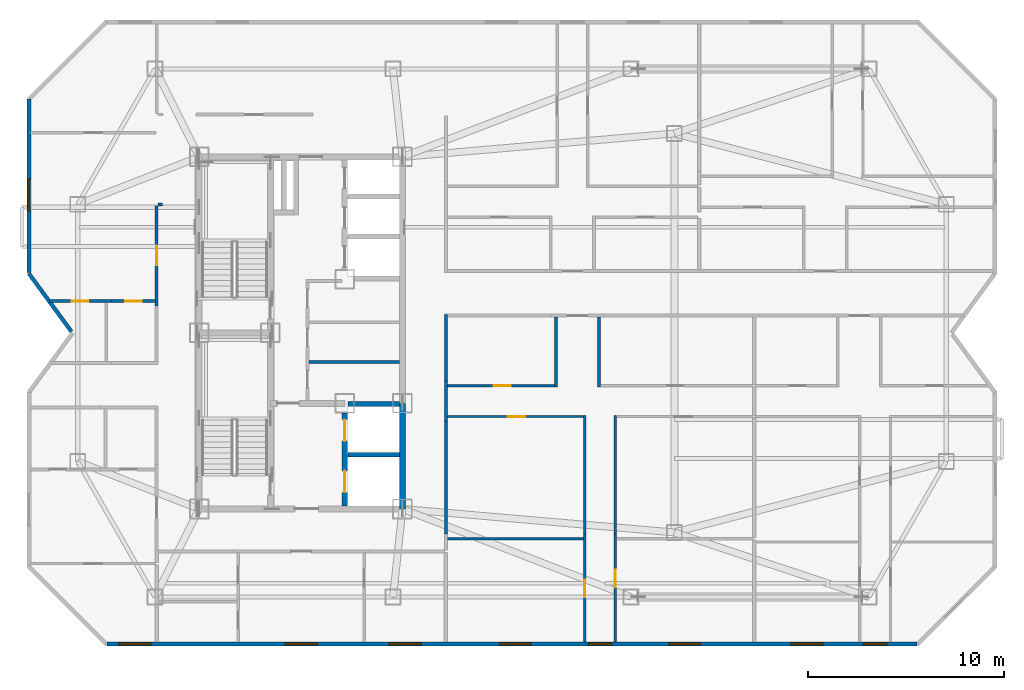
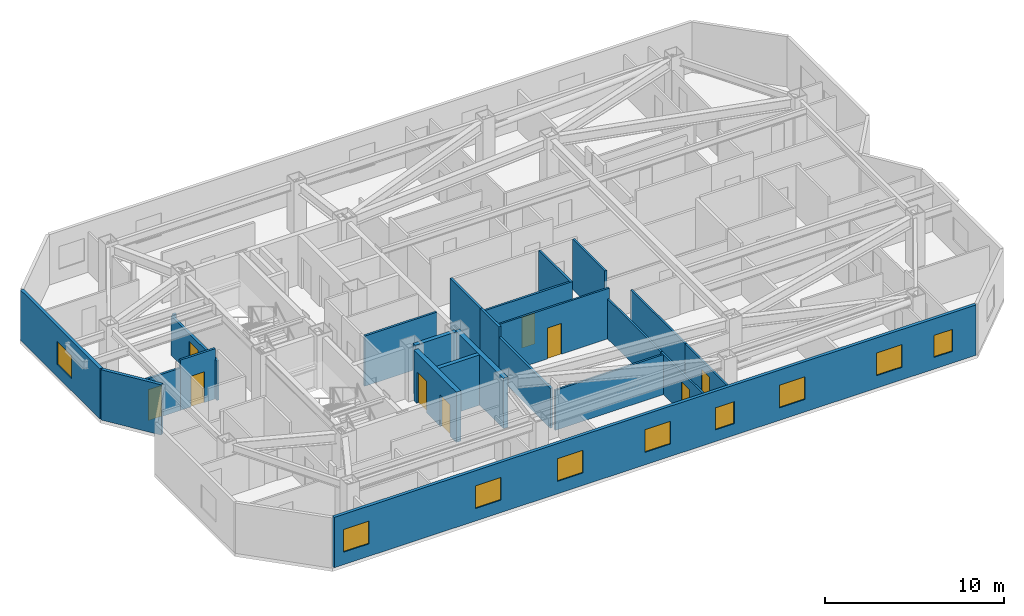
# One storey, part 5 of 9: 24 walls, 9 doors, 9 windows, 18 openings.
"""IFC4 building model written with IfcOpenShell, lengths in metres."""

from ifc_helpers import new_model, si_unit, direction, frame, frame_2d, origin, place, context, subcontext, project, spatial, rectangle, extrude, material, layer, layer_set, type_object, element, fill, save


model = new_model("IFC4")

# Units and contexts
model_context = context("Model", 3, precision=1e-05, world=origin(), true_north=direction((0.0, 1.0)))
body_context = subcontext(model_context, "Body", "Model", "MODEL_VIEW")
ifc_project = project(units=[si_unit("LENGTHUNIT", "METRE"), si_unit("AREAUNIT", "SQUARE_METRE"), si_unit("VOLUMEUNIT", "CUBIC_METRE"), si_unit("PLANEANGLEUNIT", "RADIAN"), si_unit("MASSUNIT", "GRAM", prefix="KILO")], contexts=[model_context])

# Site, building, storey
site_placement = place(None, origin())
site = spatial("IfcSite", under=ifc_project, at=site_placement, CompositionType="ELEMENT")
building_placement = place(site_placement, origin())
building = spatial("IfcBuilding", under=site, at=building_placement, Name="Khamvora Tower", CompositionType="ELEMENT")
storey_placement = place(building_placement, frame((0.0, 0.0, 235.449951171875)))
storey = spatial("IfcBuildingStorey", under=building, at=storey_placement, Name="L60", CompositionType="ELEMENT", Elevation=235.449951171875)

# Wall
ifc_material_1 = material(Name="Concrete C50/60", Category="concrete")
ifc_layer_1 = layer(ifc_material_1, 0.300048828125)
ifc_layer_set_1 = layer_set([ifc_layer_1], Name="Concrete C50/60")
wall_type_1 = type_object("IfcWallType", Name="WAL-CORE-300", PredefinedType="SHEAR", material=ifc_layer_set_1)
wall_1_placement = place(storey_placement, frame((39.39990234375, 19.0, 0.0), z_axis=(0.0, 0.0, 1.0), x_axis=(0.0, 1.0, 0.0)))
element("IfcWall", 1, at=wall_1_placement, inside=storey, type_object=wall_type_1, Name="L60 central core east south wall", PredefinedType="SHEAR", context=body_context, shape_type="SweptSolid", body=[
    extrude(rectangle(XDim=5.39990234375, YDim=0.300048828125, at=frame_2d((2.699951171875, 0.0))), origin(), (0.0, 0.0, 1.0), 3.429931640625),
])

# Wall, openings, doors
wall_2_placement = place(storey_placement, frame((36.449951171875, 19.154052734375, 0.0), z_axis=(0.0, 0.0, 1.0), x_axis=(0.0, 1.0, 0.0)))
wall_2 = element("IfcWall", 2, at=wall_2_placement, inside=storey, type_object=wall_type_1, Name="L60 central core lift bank south wall", PredefinedType="SHEAR", context=body_context, shape_type="SweptSolid", body=[
    extrude(rectangle(XDim=4.745849609375, YDim=0.300048828125, at=frame_2d((2.373046875, 0.0))), origin(), (0.0, 0.0, 1.0), 3.429931640625),
])
opening_1_placement = place(wall_2_placement, frame((0.696044921875, 0.0, 0.0)))
opening_1 = element("IfcOpeningElement", 3, at=opening_1_placement, cuts=wall_2, Name="Opening LD-FFL", PredefinedType="OPENING", context=body_context, shape_type="SweptSolid", body=[
    extrude(rectangle(XDim=1.10009765625, YDim=2.14990234375, at=frame_2d((0.550048828125, 1.074951171875))), frame((0.0, 0.159912109375, 0.0), z_axis=(0.0, -1.0, 0.0), x_axis=(1.0, 0.0, 0.0)), (0.0, 0.0, 1.0), 0.320068359375),
])
opening_2_placement = place(wall_2_placement, frame((3.31591796875, 0.0, 0.0)))
opening_2 = element("IfcOpeningElement", 4, at=opening_2_placement, cuts=wall_2, Name="Opening LD-FFL", PredefinedType="OPENING", context=body_context, shape_type="SweptSolid", body=[
    extrude(rectangle(XDim=1.10009765625, YDim=2.14990234375, at=frame_2d((0.550048828125, 1.074951171875))), frame((0.0, 0.159912109375, 0.0), z_axis=(0.0, -1.0, 0.0), x_axis=(1.0, 0.0, 0.0)), (0.0, 0.0, 1.0), 0.320068359375),
])
ifc_material_2 = material(Name="Powder-Coated Steel and Hardwood Leaf", Category="steel")
door_type_1 = type_object("IfcDoorType", Name="DOR-LIFT-1100", OperationType="SLIDING_TO_LEFT", PredefinedType="DOOR", material=ifc_material_2)
door_1_placement = place(opening_1_placement, origin())
door_1 = element("IfcDoor", 5, at=door_1_placement, inside=storey, type_object=door_type_1, Name="L60 lift landing sliding door FFL-01", OperationType="SLIDING_TO_LEFT", OverallHeight=2.14990234375, OverallWidth=1.10009765625, PredefinedType="DOOR", context=body_context, shape_type="SweptSolid", body=[
    extrude(rectangle(XDim=1.10009765625, YDim=2.14990234375, at=frame_2d((0.550048828125, 1.074951171875))), frame((0.0, 0.02490234375, 0.0), z_axis=(0.0, -1.0, 0.0), x_axis=(1.0, 0.0, 0.0)), (0.0, 0.0, 1.0), 0.050048828125),
])
fill(opening_1, door_1)
door_2_placement = place(opening_2_placement, origin())
door_2 = element("IfcDoor", 6, at=door_2_placement, inside=storey, type_object=door_type_1, Name="L60 lift landing sliding door FFL-02", OperationType="SLIDING_TO_LEFT", OverallHeight=2.14990234375, OverallWidth=1.10009765625, PredefinedType="DOOR", context=body_context, shape_type="SweptSolid", body=[
    extrude(rectangle(XDim=1.10009765625, YDim=2.14990234375, at=frame_2d((0.550048828125, 1.074951171875))), frame((0.0, 0.02490234375, 0.0), z_axis=(0.0, -1.0, 0.0), x_axis=(1.0, 0.0, 0.0)), (0.0, 0.0, 1.0), 0.050048828125),
])
fill(opening_2, door_2)

# Wall, opening, door
ifc_material_3 = material(Name="Fire-Rated Drywall and Steel Stud", Category="steel")
ifc_layer_2 = layer(ifc_material_3, 0.14990234375)
ifc_layer_set_2 = layer_set([ifc_layer_2], Name="Fire-Rated Drywall and Steel Stud")
wall_type_2 = type_object("IfcWallType", Name="WAL-CORR-150", PredefinedType="STANDARD", material=ifc_layer_set_2)
wall_3_placement = place(storey_placement, frame((26.8349609375, 29.381103515625, 0.0), z_axis=(0.0, 0.0, 1.0), x_axis=(0.0, 1.0, 0.0)))
wall_3 = element("IfcWall", 7, at=wall_3_placement, inside=storey, type_object=wall_type_2, Name="L60 interior partition wall 012", PredefinedType="STANDARD", context=body_context, shape_type="SweptSolid", body=[
    extrude(rectangle(XDim=5.118896484375, YDim=0.14990234375, at=frame_2d((2.5595703125, 0.0))), origin(), (0.0, 0.0, 1.0), 2.68701171875),
])
opening_3_placement = place(wall_3_placement, frame((2.080078125, 0.0, 0.0)))
opening_3 = element("IfcOpeningElement", 8, at=opening_3_placement, cuts=wall_3, Name="Opening D-U1", PredefinedType="OPENING", context=body_context, shape_type="SweptSolid", body=[
    extrude(rectangle(XDim=1.0, YDim=2.14990234375, at=frame_2d((0.5, 1.074951171875))), frame((0.0, 0.0849609375, 0.0), z_axis=(0.0, -1.0, 0.0), x_axis=(1.0, 0.0, 0.0)), (0.0, 0.0, 1.0), 0.169921875),
])
door_type_2 = type_object("IfcDoorType", Name="DOR-UNIT-1000", OperationType="NOTDEFINED", PredefinedType="DOOR", material=ifc_material_2)
door_3_placement = place(opening_3_placement, origin())
door_3 = element("IfcDoor", 9, at=door_3_placement, inside=storey, type_object=door_type_2, Name="L60 interior door COR-60WBH", OperationType="SINGLE_SWING_LEFT", OverallHeight=2.14990234375, OverallWidth=1.0, PredefinedType="DOOR", context=body_context, shape_type="SweptSolid", body=[
    extrude(rectangle(XDim=1.0, YDim=2.14990234375, at=frame_2d((0.5, 1.074951171875))), frame((0.0, 0.02490234375, 0.0), z_axis=(0.0, -1.0, 0.0), x_axis=(1.0, 0.0, 0.0)), (0.0, 0.0, 1.0), 0.050048828125),
])
fill(opening_3, door_3)

# Walls
wall_4_placement = place(storey_placement, frame((26.89990234375, 34.56494140625, 0.0), z_axis=(0.0, 0.0, 1.0), x_axis=(1.0, 0.0, 0.0)))
element("IfcWall", 10, at=wall_4_placement, inside=storey, type_object=wall_type_2, Name="L60 interior partition wall 013", PredefinedType="STANDARD", context=body_context, shape_type="SweptSolid", body=[
    extrude(rectangle(XDim=0.22412109375, YDim=0.14990234375, at=frame_2d((0.112060546875, 0.0))), origin(), (0.0, 0.0, 1.0), 2.68701171875),
])
wall_5_placement = place(storey_placement, frame((41.614990234375, 25.553955078125, 0.0), z_axis=(0.0, 0.0, 1.0), x_axis=(0.0, -1.0, 0.0)))
element("IfcWall", 11, at=wall_5_placement, inside=storey, type_object=wall_type_2, Name="L60 interior partition wall 021", PredefinedType="STANDARD", context=body_context, shape_type="SweptSolid", body=[
    extrude(rectangle(XDim=2.077880859375, YDim=0.14990234375, at=frame_2d((1.0390625, 0.0))), origin(), (0.0, 0.0, 1.0), 3.429931640625),
])
wall_6_placement = place(storey_placement, frame((41.614990234375, 28.947998046875, 0.0), z_axis=(0.0, 0.0, 1.0), x_axis=(0.0, -1.0, 0.0)))
element("IfcWall", 12, at=wall_6_placement, inside=storey, type_object=wall_type_2, Name="L60 interior partition wall 023", PredefinedType="STANDARD", context=body_context, shape_type="SweptSolid", body=[
    extrude(rectangle(XDim=3.39404296875, YDim=0.14990234375, at=frame_2d((1.697021484375, 0.0))), origin(), (0.0, 0.0, 1.0), 3.429931640625),
])
wall_7_placement = place(storey_placement, frame((41.614990234375, 23.47607421875, 0.0), z_axis=(0.0, 0.0, 1.0), x_axis=(0.0, -1.0, 0.0)))
element("IfcWall", 13, at=wall_7_placement, inside=storey, type_object=wall_type_2, Name="L60 interior partition wall 026", PredefinedType="STANDARD", context=body_context, shape_type="SweptSolid", body=[
    extrude(rectangle(XDim=5.751953125, YDim=0.14990234375, at=frame_2d((2.8759765625, 0.0))), origin(), (0.0, 0.0, 1.0), 2.72509765625),
])
ifc_material_4 = material(Name="Precast concrete C40/50", Category="concrete")
ifc_layer_3 = layer(ifc_material_4, 0.199951171875)
ifc_layer_set_3 = layer_set([ifc_layer_3], Name="Precast concrete C40/50")
wall_type_3 = type_object("IfcWallType", Name="WAL-EXT-200", PredefinedType="STANDARD", material=ifc_layer_set_3)
wall_8_placement = place(storey_placement, frame((22.472900390625, 28.069091796875, 0.0), z_axis=(0.0, 0.0, 1.0), x_axis=(-0.591248456881, 0.80648946815, 0.0)))
element("IfcWall", 14, at=wall_8_placement, inside=storey, type_object=wall_type_3, Name="L60 exterior facade wall 04.1", PredefinedType="STANDARD", context=body_context, shape_type="SweptSolid", body=[
    extrude(rectangle(XDim=3.675048828125, YDim=0.199951171875, at=frame_2d((1.83740234375, 0.0))), origin(), (0.0, 0.0, 1.0), 3.429931640625),
])

# Wall, opening, window
wall_9_placement = place(storey_placement, frame((20.300048828125, 31.083984375, 0.0), z_axis=(0.0, 0.0, 1.0), x_axis=(0.0, 1.0, 0.0)))
wall_9 = element("IfcWall", 15, at=wall_9_placement, inside=storey, type_object=wall_type_3, Name="L60 exterior facade wall 05.1", PredefinedType="STANDARD", context=body_context, shape_type="SweptSolid", body=[
    extrude(rectangle(XDim=8.875, YDim=0.199951171875, at=frame_2d((4.4375, 0.0))), origin(), (0.0, 0.0, 1.0), 3.429931640625),
])
opening_4_placement = place(wall_9_placement, frame((3.139892578125, 0.0, 0.85009765625)))
opening_4 = element("IfcOpeningElement", 16, at=opening_4_placement, cuts=wall_9, Name="Opening WN-06", PredefinedType="OPENING", context=body_context, shape_type="SweptSolid", body=[
    extrude(rectangle(XDim=1.64990234375, YDim=1.550048828125, at=frame_2d((0.824951171875, 0.77490234375))), frame((0.0, 0.10986328125, 0.0), z_axis=(0.0, -1.0, 0.0), x_axis=(1.0, 0.0, 0.0)), (0.0, 0.0, 1.0), 0.219970703125),
])
ifc_material_5 = material(Name="Low-E Laminated Double Glazing", Category="glass")
window_type_1 = type_object("IfcWindowType", Name="WIN-VIS-1650x1550", PartitioningType="SINGLE_PANEL", PredefinedType="WINDOW", material=ifc_material_5)
window_1_placement = place(opening_4_placement, origin())
window_1 = element("IfcWindow", 17, at=window_1_placement, inside=storey, type_object=window_type_1, Name="L60 vision window 05.1.01", OverallHeight=1.550048828125, OverallWidth=1.64990234375, PartitioningType="SINGLE_PANEL", PredefinedType="WINDOW", context=body_context, shape_type="SweptSolid", body=[
    extrude(rectangle(XDim=1.64990234375, YDim=1.550048828125, at=frame_2d((0.824951171875, 0.77490234375))), frame((0.0, 0.030029296875, 0.0), z_axis=(0.0, -1.0, 0.0), x_axis=(1.0, 0.0, 0.0)), (0.0, 0.0, 1.0), 0.06005859375),
])
fill(opening_4, window_1)

# Wall, openings, windows
wall_10_placement = place(storey_placement, frame((65.696044921875, 12.10009765625, 0.0), z_axis=(0.0, 0.0, 1.0), x_axis=(-1.0, 0.0, 0.0)))
wall_10 = element("IfcWall", 18, at=wall_10_placement, inside=storey, type_object=wall_type_3, Name="L60 exterior facade wall 14.1", PredefinedType="STANDARD", context=body_context, shape_type="SweptSolid", body=[
    extrude(rectangle(XDim=41.39306640625, YDim=0.199951171875, at=frame_2d((20.696533203125, 0.0))), origin(), (0.0, 0.0, 1.0), 3.429931640625),
])
opening_5_placement = place(wall_10_placement, frame((39.159912109375, 0.0, 0.85009765625)))
opening_5 = element("IfcOpeningElement", 19, at=opening_5_placement, cuts=wall_10, Name="Opening WN-06", PredefinedType="OPENING", context=body_context, shape_type="SweptSolid", body=[
    extrude(rectangle(XDim=1.64990234375, YDim=1.550048828125, at=frame_2d((0.824951171875, 0.77490234375))), frame((0.0, 0.10986328125, 0.0), z_axis=(0.0, -1.0, 0.0), x_axis=(1.0, 0.0, 0.0)), (0.0, 0.0, 1.0), 0.219970703125),
])
opening_6_placement = place(wall_10_placement, frame((30.64599609375, 0.0, 0.85009765625)))
opening_6 = element("IfcOpeningElement", 20, at=opening_6_placement, cuts=wall_10, Name="Opening WN-06", PredefinedType="OPENING", context=body_context, shape_type="SweptSolid", body=[
    extrude(rectangle(XDim=1.64990234375, YDim=1.550048828125, at=frame_2d((0.824951171875, 0.77490234375))), frame((0.0, 0.10986328125, 0.0), z_axis=(0.0, -1.0, 0.0), x_axis=(1.0, 0.0, 0.0)), (0.0, 0.0, 1.0), 0.219970703125),
])
opening_7_placement = place(wall_10_placement, frame((25.339111328125, 0.0, 0.85009765625)))
opening_7 = element("IfcOpeningElement", 21, at=opening_7_placement, cuts=wall_10, Name="Opening WN-06", PredefinedType="OPENING", context=body_context, shape_type="SweptSolid", body=[
    extrude(rectangle(XDim=1.64990234375, YDim=1.550048828125, at=frame_2d((0.824951171875, 0.77490234375))), frame((0.0, 0.10986328125, 0.0), z_axis=(0.0, -1.0, 0.0), x_axis=(1.0, 0.0, 0.0)), (0.0, 0.0, 1.0), 0.219970703125),
])
opening_8_placement = place(wall_10_placement, frame((15.595947265625, 0.0, 0.800048828125)))
opening_8 = element("IfcOpeningElement", 22, at=opening_8_placement, cuts=wall_10, Name="Opening WN-03", PredefinedType="OPENING", context=body_context, shape_type="SweptSolid", body=[
    extrude(rectangle(XDim=1.199951171875, YDim=1.5, at=frame_2d((0.60009765625, 0.75))), frame((0.0, 0.10986328125, 0.0), z_axis=(0.0, -1.0, 0.0), x_axis=(1.0, 0.0, 0.0)), (0.0, 0.0, 1.0), 0.219970703125),
])
opening_9_placement = place(wall_10_placement, frame((19.7060546875, 0.0, 0.85009765625)))
opening_9 = element("IfcOpeningElement", 23, at=opening_9_placement, cuts=wall_10, Name="Opening WN-06", PredefinedType="OPENING", context=body_context, shape_type="SweptSolid", body=[
    extrude(rectangle(XDim=1.64990234375, YDim=1.550048828125, at=frame_2d((0.824951171875, 0.77490234375))), frame((0.0, 0.10986328125, 0.0), z_axis=(0.0, -1.0, 0.0), x_axis=(1.0, 0.0, 0.0)), (0.0, 0.0, 1.0), 0.219970703125),
])
opening_10_placement = place(wall_10_placement, frame((11.035888671875, 0.0, 0.85009765625)))
opening_10 = element("IfcOpeningElement", 24, at=opening_10_placement, cuts=wall_10, Name="Opening WN-06", PredefinedType="OPENING", context=body_context, shape_type="SweptSolid", body=[
    extrude(rectangle(XDim=1.64990234375, YDim=1.550048828125, at=frame_2d((0.824951171875, 0.77490234375))), frame((0.0, 0.10986328125, 0.0), z_axis=(0.0, -1.0, 0.0), x_axis=(1.0, 0.0, 0.0)), (0.0, 0.0, 1.0), 0.219970703125),
])
opening_11_placement = place(wall_10_placement, frame((1.52587890625, 0.0, 0.800048828125)))
opening_11 = element("IfcOpeningElement", 25, at=opening_11_placement, cuts=wall_10, Name="Opening WN-03", PredefinedType="OPENING", context=body_context, shape_type="SweptSolid", body=[
    extrude(rectangle(XDim=1.199951171875, YDim=1.5, at=frame_2d((0.60009765625, 0.75))), frame((0.0, 0.10986328125, 0.0), z_axis=(0.0, -1.0, 0.0), x_axis=(1.0, 0.0, 0.0)), (0.0, 0.0, 1.0), 0.219970703125),
])
opening_12_placement = place(wall_10_placement, frame((4.785888671875, 0.0, 0.85009765625)))
opening_12 = element("IfcOpeningElement", 26, at=opening_12_placement, cuts=wall_10, Name="Opening WN-06", PredefinedType="OPENING", context=body_context, shape_type="SweptSolid", body=[
    extrude(rectangle(XDim=1.64990234375, YDim=1.550048828125, at=frame_2d((0.824951171875, 0.77490234375))), frame((0.0, 0.10986328125, 0.0), z_axis=(0.0, -1.0, 0.0), x_axis=(1.0, 0.0, 0.0)), (0.0, 0.0, 1.0), 0.219970703125),
])
window_type_2 = type_object("IfcWindowType", Name="WIN-VIS-1200x1500", PartitioningType="SINGLE_PANEL", PredefinedType="WINDOW", material=ifc_material_5)
window_2_placement = place(opening_8_placement, origin())
window_2 = element("IfcWindow", 27, at=window_2_placement, inside=storey, type_object=window_type_2, Name="L60 vision window 14.1.04", OverallHeight=1.5, OverallWidth=1.199951171875, PartitioningType="SINGLE_PANEL", PredefinedType="WINDOW", context=body_context, shape_type="SweptSolid", body=[
    extrude(rectangle(XDim=1.199951171875, YDim=1.5, at=frame_2d((0.60009765625, 0.75))), frame((0.0, 0.030029296875, 0.0), z_axis=(0.0, -1.0, 0.0), x_axis=(1.0, 0.0, 0.0)), (0.0, 0.0, 1.0), 0.06005859375),
])
fill(opening_8, window_2)
window_3_placement = place(opening_11_placement, origin())
window_3 = element("IfcWindow", 28, at=window_3_placement, inside=storey, type_object=window_type_2, Name="L60 vision window 14.1.07", OverallHeight=1.5, OverallWidth=1.199951171875, PartitioningType="SINGLE_PANEL", PredefinedType="WINDOW", context=body_context, shape_type="SweptSolid", body=[
    extrude(rectangle(XDim=1.199951171875, YDim=1.5, at=frame_2d((0.60009765625, 0.75))), frame((0.0, 0.030029296875, 0.0), z_axis=(0.0, -1.0, 0.0), x_axis=(1.0, 0.0, 0.0)), (0.0, 0.0, 1.0), 0.06005859375),
])
fill(opening_11, window_3)
window_4_placement = place(opening_5_placement, origin())
window_4 = element("IfcWindow", 29, at=window_4_placement, inside=storey, type_object=window_type_1, Name="L60 vision window 14.1.01", OverallHeight=1.550048828125, OverallWidth=1.64990234375, PartitioningType="SINGLE_PANEL", PredefinedType="WINDOW", context=body_context, shape_type="SweptSolid", body=[
    extrude(rectangle(XDim=1.64990234375, YDim=1.550048828125, at=frame_2d((0.824951171875, 0.77490234375))), frame((0.0, 0.030029296875, 0.0), z_axis=(0.0, -1.0, 0.0), x_axis=(1.0, 0.0, 0.0)), (0.0, 0.0, 1.0), 0.06005859375),
])
fill(opening_5, window_4)
window_5_placement = place(opening_6_placement, origin())
window_5 = element("IfcWindow", 30, at=window_5_placement, inside=storey, type_object=window_type_1, Name="L60 vision window 14.1.02", OverallHeight=1.550048828125, OverallWidth=1.64990234375, PartitioningType="SINGLE_PANEL", PredefinedType="WINDOW", context=body_context, shape_type="SweptSolid", body=[
    extrude(rectangle(XDim=1.64990234375, YDim=1.550048828125, at=frame_2d((0.824951171875, 0.77490234375))), frame((0.0, 0.030029296875, 0.0), z_axis=(0.0, -1.0, 0.0), x_axis=(1.0, 0.0, 0.0)), (0.0, 0.0, 1.0), 0.06005859375),
])
fill(opening_6, window_5)
window_6_placement = place(opening_7_placement, origin())
window_6 = element("IfcWindow", 31, at=window_6_placement, inside=storey, type_object=window_type_1, Name="L60 vision window 14.1.03", OverallHeight=1.550048828125, OverallWidth=1.64990234375, PartitioningType="SINGLE_PANEL", PredefinedType="WINDOW", context=body_context, shape_type="SweptSolid", body=[
    extrude(rectangle(XDim=1.64990234375, YDim=1.550048828125, at=frame_2d((0.824951171875, 0.77490234375))), frame((0.0, 0.030029296875, 0.0), z_axis=(0.0, -1.0, 0.0), x_axis=(1.0, 0.0, 0.0)), (0.0, 0.0, 1.0), 0.06005859375),
])
fill(opening_7, window_6)
window_7_placement = place(opening_9_placement, origin())
window_7 = element("IfcWindow", 32, at=window_7_placement, inside=storey, type_object=window_type_1, Name="L60 vision window 14.1.05", OverallHeight=1.550048828125, OverallWidth=1.64990234375, PartitioningType="SINGLE_PANEL", PredefinedType="WINDOW", context=body_context, shape_type="SweptSolid", body=[
    extrude(rectangle(XDim=1.64990234375, YDim=1.550048828125, at=frame_2d((0.824951171875, 0.77490234375))), frame((0.0, 0.030029296875, 0.0), z_axis=(0.0, -1.0, 0.0), x_axis=(1.0, 0.0, 0.0)), (0.0, 0.0, 1.0), 0.06005859375),
])
fill(opening_9, window_7)
window_8_placement = place(opening_10_placement, origin())
window_8 = element("IfcWindow", 33, at=window_8_placement, inside=storey, type_object=window_type_1, Name="L60 vision window 14.1.06", OverallHeight=1.550048828125, OverallWidth=1.64990234375, PartitioningType="SINGLE_PANEL", PredefinedType="WINDOW", context=body_context, shape_type="SweptSolid", body=[
    extrude(rectangle(XDim=1.64990234375, YDim=1.550048828125, at=frame_2d((0.824951171875, 0.77490234375))), frame((0.0, 0.030029296875, 0.0), z_axis=(0.0, -1.0, 0.0), x_axis=(1.0, 0.0, 0.0)), (0.0, 0.0, 1.0), 0.06005859375),
])
fill(opening_10, window_8)
window_9_placement = place(opening_12_placement, origin())
window_9 = element("IfcWindow", 34, at=window_9_placement, inside=storey, type_object=window_type_1, Name="L60 vision window 14.1.08", OverallHeight=1.550048828125, OverallWidth=1.64990234375, PartitioningType="SINGLE_PANEL", PredefinedType="WINDOW", context=body_context, shape_type="SweptSolid", body=[
    extrude(rectangle(XDim=1.64990234375, YDim=1.550048828125, at=frame_2d((0.824951171875, 0.77490234375))), frame((0.0, 0.030029296875, 0.0), z_axis=(0.0, -1.0, 0.0), x_axis=(1.0, 0.0, 0.0)), (0.0, 0.0, 1.0), 0.06005859375),
])
fill(opening_12, window_9)

# Wall, opening, door
ifc_material_6 = material(Name="Gypsum Plasterboard Partition", Category="gypsum")
ifc_layer_4 = layer(ifc_material_6, 0.1201171875)
ifc_layer_set_4 = layer_set([ifc_layer_4], Name="Gypsum Plasterboard Partition")
wall_type_4 = type_object("IfcWallType", Name="WAL-PART-120", PredefinedType="PARTITIONING", material=ifc_layer_set_4)
wall_11_placement = place(storey_placement, frame((48.715087890625, 12.19189453125, 0.0), z_axis=(0.0, 0.0, 1.0), x_axis=(0.0, 1.0, 0.0)))
wall_11 = element("IfcWall", 35, at=wall_11_placement, inside=storey, type_object=wall_type_4, Name="L60 interior partition wall 061", PredefinedType="PARTITIONING", context=body_context, shape_type="SweptSolid", body=[
    extrude(rectangle(XDim=5.5322265625, YDim=0.1201171875, at=frame_2d((2.76611328125, 0.0))), origin(), (0.0, 0.0, 1.0), 2.72509765625),
])
opening_13_placement = place(wall_11_placement, frame((2.294921875, 0.0, 0.0)))
opening_13 = element("IfcOpeningElement", 36, at=opening_13_placement, cuts=wall_11, Name="Opening D-RM1", PredefinedType="OPENING", context=body_context, shape_type="SweptSolid", body=[
    extrude(rectangle(XDim=0.89990234375, YDim=2.10009765625, at=frame_2d((0.449951171875, 1.050048828125))), frame((0.0, 0.070068359375, 0.0), z_axis=(0.0, -1.0, 0.0), x_axis=(1.0, 0.0, 0.0)), (0.0, 0.0, 1.0), 0.14013671875),
])
door_type_3 = type_object("IfcDoorType", Name="DOR-ROOM-900", OperationType="NOTDEFINED", PredefinedType="DOOR", material=ifc_material_2)
door_4_placement = place(opening_13_placement, origin())
door_4 = element("IfcDoor", 37, at=door_4_placement, inside=storey, type_object=door_type_3, Name="L60 interior door 60EAH-60EAR1", OperationType="SINGLE_SWING_RIGHT", OverallHeight=2.10009765625, OverallWidth=0.89990234375, PredefinedType="DOOR", context=body_context, shape_type="SweptSolid", body=[
    extrude(rectangle(XDim=0.89990234375, YDim=2.10009765625, at=frame_2d((0.449951171875, 1.050048828125))), frame((0.0, 0.02490234375, 0.0), z_axis=(0.0, -1.0, 0.0), x_axis=(1.0, 0.0, 0.0)), (0.0, 0.0, 1.0), 0.050048828125),
])
fill(opening_13, door_4)

# Wall
wall_12_placement = place(storey_placement, frame((48.715087890625, 17.72412109375, 0.0), z_axis=(0.0, 0.0, 1.0), x_axis=(0.0, 1.0, 0.0)))
element("IfcWall", 38, at=wall_12_placement, inside=storey, type_object=wall_type_4, Name="L60 interior partition wall 062", PredefinedType="PARTITIONING", context=body_context, shape_type="SweptSolid", body=[
    extrude(rectangle(XDim=6.06591796875, YDim=0.1201171875, at=frame_2d((3.032958984375, 0.0))), origin(), (0.0, 0.0, 1.0), 2.72509765625),
])

# Wall, opening, door
wall_13_placement = place(storey_placement, frame((48.780029296875, 23.72509765625, 0.0), z_axis=(0.0, 0.0, 1.0), x_axis=(-1.0, 0.0, 0.0)))
wall_13 = element("IfcWall", 39, at=wall_13_placement, inside=storey, type_object=wall_type_4, Name="L60 interior partition wall 063", PredefinedType="PARTITIONING", context=body_context, shape_type="SweptSolid", body=[
    extrude(rectangle(XDim=7.09814453125, YDim=0.1201171875, at=frame_2d((3.549072265625, 0.0))), origin(), (0.0, 0.0, 1.0), 3.429931640625),
])
opening_14_placement = place(wall_13_placement, frame((3.09912109375, 0.0, 0.0)))
opening_14 = element("IfcOpeningElement", 40, at=opening_14_placement, cuts=wall_13, Name="Opening D-RM1", PredefinedType="OPENING", context=body_context, shape_type="SweptSolid", body=[
    extrude(rectangle(XDim=0.89990234375, YDim=2.10009765625, at=frame_2d((0.449951171875, 1.050048828125))), frame((0.0, 0.070068359375, 0.0), z_axis=(0.0, -1.0, 0.0), x_axis=(1.0, 0.0, 0.0)), (0.0, 0.0, 1.0), 0.14013671875),
])
door_5_placement = place(opening_14_placement, origin())
door_5 = element("IfcDoor", 41, at=door_5_placement, inside=storey, type_object=door_type_3, Name="L60 interior door 60EAH-60EAR2", OperationType="SINGLE_SWING_LEFT", OverallHeight=2.10009765625, OverallWidth=0.89990234375, PredefinedType="DOOR", context=body_context, shape_type="SweptSolid", body=[
    extrude(rectangle(XDim=0.89990234375, YDim=2.10009765625, at=frame_2d((0.449951171875, 1.050048828125))), frame((0.0, 0.02490234375, 0.0), z_axis=(0.0, -1.0, 0.0), x_axis=(1.0, 0.0, 0.0)), (0.0, 0.0, 1.0), 0.050048828125),
])
fill(opening_14, door_5)

wall_14_placement = place(storey_placement, frame((50.284912109375, 17.72412109375, 0.0), z_axis=(0.0, 0.0, 1.0), x_axis=(0.0, -1.0, 0.0)))
wall_14 = element("IfcWall", 42, at=wall_14_placement, inside=storey, type_object=wall_type_4, Name="L60 interior partition wall 064", PredefinedType="PARTITIONING", context=body_context, shape_type="SweptSolid", body=[
    extrude(rectangle(XDim=5.5322265625, YDim=0.1201171875, at=frame_2d((2.76611328125, 0.0))), origin(), (0.0, 0.0, 1.0), 2.72509765625),
])
opening_15_placement = place(wall_14_placement, frame((1.822998046875, 0.0, 0.0)))
opening_15 = element("IfcOpeningElement", 43, at=opening_15_placement, cuts=wall_14, Name="Opening D-RM1", PredefinedType="OPENING", context=body_context, shape_type="SweptSolid", body=[
    extrude(rectangle(XDim=0.89990234375, YDim=2.10009765625, at=frame_2d((0.449951171875, 1.050048828125))), frame((0.0, 0.070068359375, 0.0), z_axis=(0.0, -1.0, 0.0), x_axis=(1.0, 0.0, 0.0)), (0.0, 0.0, 1.0), 0.14013671875),
])
door_6_placement = place(opening_15_placement, origin())
door_6 = element("IfcDoor", 44, at=door_6_placement, inside=storey, type_object=door_type_3, Name="L60 interior door 60EAH-60EAR3", OperationType="SINGLE_SWING_LEFT", OverallHeight=2.10009765625, OverallWidth=0.89990234375, PredefinedType="DOOR", context=body_context, shape_type="SweptSolid", body=[
    extrude(rectangle(XDim=0.89990234375, YDim=2.10009765625, at=frame_2d((0.449951171875, 1.050048828125))), frame((0.0, 0.02490234375, 0.0), z_axis=(0.0, -1.0, 0.0), x_axis=(1.0, 0.0, 0.0)), (0.0, 0.0, 1.0), 0.050048828125),
])
fill(opening_15, door_6)

# Walls
wall_15_placement = place(storey_placement, frame((50.284912109375, 23.7900390625, 0.0), z_axis=(0.0, 0.0, 1.0), x_axis=(0.0, -1.0, 0.0)))
element("IfcWall", 45, at=wall_15_placement, inside=storey, type_object=wall_type_4, Name="L60 interior partition wall 066", PredefinedType="PARTITIONING", context=body_context, shape_type="SweptSolid", body=[
    extrude(rectangle(XDim=6.06591796875, YDim=0.1201171875, at=frame_2d((3.032958984375, 0.0))), origin(), (0.0, 0.0, 1.0), 2.72509765625),
])
wall_16_placement = place(storey_placement, frame((41.681884765625, 17.47509765625, 0.0), z_axis=(0.0, 0.0, 1.0), x_axis=(1.0, 0.0, 0.0)))
element("IfcWall", 46, at=wall_16_placement, inside=storey, type_object=wall_type_4, Name="L60 interior partition wall 069", PredefinedType="PARTITIONING", context=body_context, shape_type="SweptSolid", body=[
    extrude(rectangle(XDim=6.97900390625, YDim=0.1201171875, at=frame_2d((3.489501953125, 0.0))), origin(), (0.0, 0.0, 1.0), 2.72509765625),
])
ifc_material_7 = material(Name="Concrete C40/50", Category="concrete")
ifc_layer_5 = layer(ifc_material_7, 0.25)
ifc_layer_set_5 = layer_set([ifc_layer_5], Name="Concrete C40/50")
wall_type_5 = type_object("IfcWallType", Name="WAL-PODS-250", PredefinedType="SHEAR", material=ifc_layer_set_5)
for number, where, z_axis, x_axis, name in (
    (47, (36.60400390625, 21.77490234375, 0.0), (0.0, 0.0, 1.0), (1.0, 0.0, 0.0), "L60 lift shaft divider wall FFL-01"),
    (48, (36.60400390625, 24.375, 0.0), (0.0, 0.0, 1.0), (1.0, 0.0, 0.0), "L60 lift shaft divider wall FFL-02"),
):
    element("IfcWall", number, at=place(storey_placement, frame(where, z_axis=z_axis, x_axis=x_axis)), inside=storey, type_object=wall_type_5, Name=name, PredefinedType="SHEAR", context=body_context, shape_type="SweptSolid", body=[
        extrude(rectangle(XDim=2.64208984375, YDim=0.25, at=frame_2d((1.321044921875, 0.0))), origin(), (0.0, 0.0, 1.0), 3.429931640625),
    ])
ifc_material_8 = material(Name="Moisture-Resistant Plasterboard Partition", Category="gypsum")
ifc_layer_6 = layer(ifc_material_8, 0.135009765625)
ifc_layer_set_6 = layer_set([ifc_layer_6], Name="Moisture-Resistant Plasterboard Partition")
wall_type_6 = type_object("IfcWallType", Name="WAL-WET-135", PredefinedType="PARTITIONING", material=ifc_layer_set_6)
wall_17_placement = place(storey_placement, frame((34.612060546875, 26.514892578125, 0.0), z_axis=(0.0, 0.0, 1.0), x_axis=(1.0, 0.0, 0.0)))
element("IfcWall", 49, at=wall_17_placement, inside=storey, type_object=wall_type_6, Name="L60 interior partition wall 005", PredefinedType="PARTITIONING", context=body_context, shape_type="SweptSolid", body=[
    extrude(rectangle(XDim=4.64404296875, YDim=0.135009765625, at=frame_2d((2.322021484375, 0.0))), origin(), (0.0, 0.0, 1.0), 3.429931640625),
])

# Wall, opening, door
wall_18_placement = place(storey_placement, frame((24.509033203125, 29.6298828125, 0.0), z_axis=(0.0, 0.0, 1.0), x_axis=(-1.0, 0.0, 0.0)))
wall_18 = element("IfcWall", 50, at=wall_18_placement, inside=storey, type_object=wall_type_6, Name="L60 interior partition wall 048", PredefinedType="PARTITIONING", context=body_context, shape_type="SweptSolid", body=[
    extrude(rectangle(XDim=3.153076171875, YDim=0.135009765625, at=frame_2d((1.57666015625, 0.0))), origin(), (0.0, 0.0, 1.0), 2.886962890625),
])
opening_16_placement = place(wall_18_placement, frame((1.172119140625, 0.0, 0.0)))
opening_16 = element("IfcOpeningElement", 51, at=opening_16_placement, cuts=wall_18, Name="Opening D-WC1", PredefinedType="OPENING", context=body_context, shape_type="SweptSolid", body=[
    extrude(rectangle(XDim=0.85009765625, YDim=2.10009765625, at=frame_2d((0.425048828125, 1.050048828125))), frame((0.0, 0.077392578125, 0.0), z_axis=(0.0, -1.0, 0.0), x_axis=(1.0, 0.0, 0.0)), (0.0, 0.0, 1.0), 0.155029296875),
])
door_type_4 = type_object("IfcDoorType", Name="DOR-WET-850", OperationType="NOTDEFINED", PredefinedType="DOOR", material=ifc_material_2)
door_7_placement = place(opening_16_placement, origin())
door_7 = element("IfcDoor", 52, at=door_7_placement, inside=storey, type_object=door_type_4, Name="L60 interior door 60WBH-60WBB", OperationType="SINGLE_SWING_LEFT", OverallHeight=2.10009765625, OverallWidth=0.85009765625, PredefinedType="DOOR", context=body_context, shape_type="SweptSolid", body=[
    extrude(rectangle(XDim=0.85009765625, YDim=2.10009765625, at=frame_2d((0.425048828125, 1.050048828125))), frame((0.0, 0.02490234375, 0.0), z_axis=(0.0, -1.0, 0.0), x_axis=(1.0, 0.0, 0.0)), (0.0, 0.0, 1.0), 0.050048828125),
])
fill(opening_16, door_7)

wall_19_placement = place(storey_placement, frame((26.77001953125, 29.6298828125, 0.0), z_axis=(0.0, 0.0, 1.0), x_axis=(-1.0, 0.0, 0.0)))
wall_19 = element("IfcWall", 53, at=wall_19_placement, inside=storey, type_object=wall_type_6, Name="L60 interior partition wall 049", PredefinedType="PARTITIONING", context=body_context, shape_type="SweptSolid", body=[
    extrude(rectangle(XDim=2.260986328125, YDim=0.135009765625, at=frame_2d((1.13037109375, 0.0))), origin(), (0.0, 0.0, 1.0), 3.429931640625),
])
opening_17_placement = place(wall_19_placement, frame((0.7060546875, 0.0, 0.0)))
opening_17 = element("IfcOpeningElement", 54, at=opening_17_placement, cuts=wall_19, Name="Opening D-RM2", PredefinedType="OPENING", context=body_context, shape_type="SweptSolid", body=[
    extrude(rectangle(XDim=0.85009765625, YDim=2.10009765625, at=frame_2d((0.425048828125, 1.050048828125))), frame((0.0, 0.077392578125, 0.0), z_axis=(0.0, -1.0, 0.0), x_axis=(1.0, 0.0, 0.0)), (0.0, 0.0, 1.0), 0.155029296875),
])
door_type_5 = type_object("IfcDoorType", Name="DOR-ROOM-850", OperationType="NOTDEFINED", PredefinedType="DOOR", material=ifc_material_2)
door_8_placement = place(opening_17_placement, origin())
door_8 = element("IfcDoor", 55, at=door_8_placement, inside=storey, type_object=door_type_5, Name="L60 interior door 60WBH-60WBK", OperationType="SINGLE_SWING_RIGHT", OverallHeight=2.10009765625, OverallWidth=0.85009765625, PredefinedType="DOOR", context=body_context, shape_type="SweptSolid", body=[
    extrude(rectangle(XDim=0.85009765625, YDim=2.10009765625, at=frame_2d((0.425048828125, 1.050048828125))), frame((0.0, 0.02490234375, 0.0), z_axis=(0.0, -1.0, 0.0), x_axis=(1.0, 0.0, 0.0)), (0.0, 0.0, 1.0), 0.050048828125),
])
fill(opening_17, door_8)

wall_20_placement = place(storey_placement, frame((41.681884765625, 25.304931640625, 0.0), z_axis=(0.0, 0.0, 1.0), x_axis=(1.0, 0.0, 0.0)))
wall_20 = element("IfcWall", 56, at=wall_20_placement, inside=storey, type_object=wall_type_6, Name="L60 interior partition wall 057", PredefinedType="PARTITIONING", context=body_context, shape_type="SweptSolid", body=[
    extrude(rectangle(XDim=5.633056640625, YDim=0.135009765625, at=frame_2d((2.81640625, 0.0))), origin(), (0.0, 0.0, 1.0), 3.429931640625),
])
opening_18_placement = place(wall_20_placement, frame((2.39208984375, 0.0, 0.0)))
opening_18 = element("IfcOpeningElement", 57, at=opening_18_placement, cuts=wall_20, Name="Opening D-WC1", PredefinedType="OPENING", context=body_context, shape_type="SweptSolid", body=[
    extrude(rectangle(XDim=0.85009765625, YDim=2.10009765625, at=frame_2d((0.425048828125, 1.050048828125))), frame((0.0, 0.077392578125, 0.0), z_axis=(0.0, -1.0, 0.0), x_axis=(1.0, 0.0, 0.0)), (0.0, 0.0, 1.0), 0.155029296875),
])
door_9_placement = place(opening_18_placement, origin())
door_9 = element("IfcDoor", 58, at=door_9_placement, inside=storey, type_object=door_type_4, Name="L60 interior door 60EAH-60EAB", OperationType="SINGLE_SWING_RIGHT", OverallHeight=2.10009765625, OverallWidth=0.85009765625, PredefinedType="DOOR", context=body_context, shape_type="SweptSolid", body=[
    extrude(rectangle(XDim=0.85009765625, YDim=2.10009765625, at=frame_2d((0.425048828125, 1.050048828125))), frame((0.0, 0.02490234375, 0.0), z_axis=(0.0, -1.0, 0.0), x_axis=(1.0, 0.0, 0.0)), (0.0, 0.0, 1.0), 0.050048828125),
])
fill(opening_18, door_9)

# Walls
for number, where, z_axis, x_axis, name in (
    (59, (47.25, 25.239990234375, 0.0), (0.0, 0.0, 1.0), (0.0, 1.0, 0.0), "L60 interior partition wall 058"),
    (60, (49.449951171875, 28.820068359375, 0.0), (0.0, 0.0, 1.0), (0.0, -1.0, 0.0), "L60 interior partition wall 059"),
):
    element("IfcWall", number, at=place(storey_placement, frame(where, z_axis=z_axis, x_axis=x_axis)), inside=storey, type_object=wall_type_6, Name=name, PredefinedType="PARTITIONING", context=body_context, shape_type="SweptSolid", body=[
        extrude(rectangle(XDim=3.580078125, YDim=0.135009765625, at=frame_2d((1.7900390625, 0.0))), origin(), (0.0, 0.0, 1.0), 3.429931640625),
    ])

save(model, "model.ifc")
